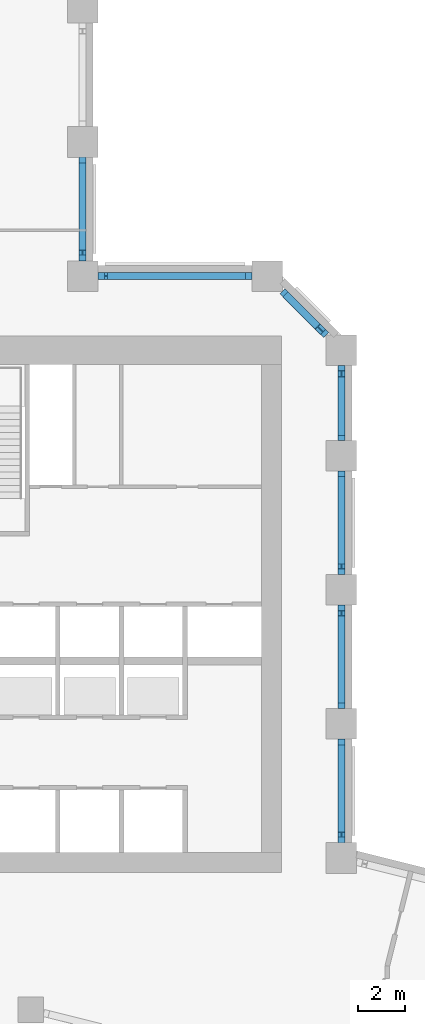
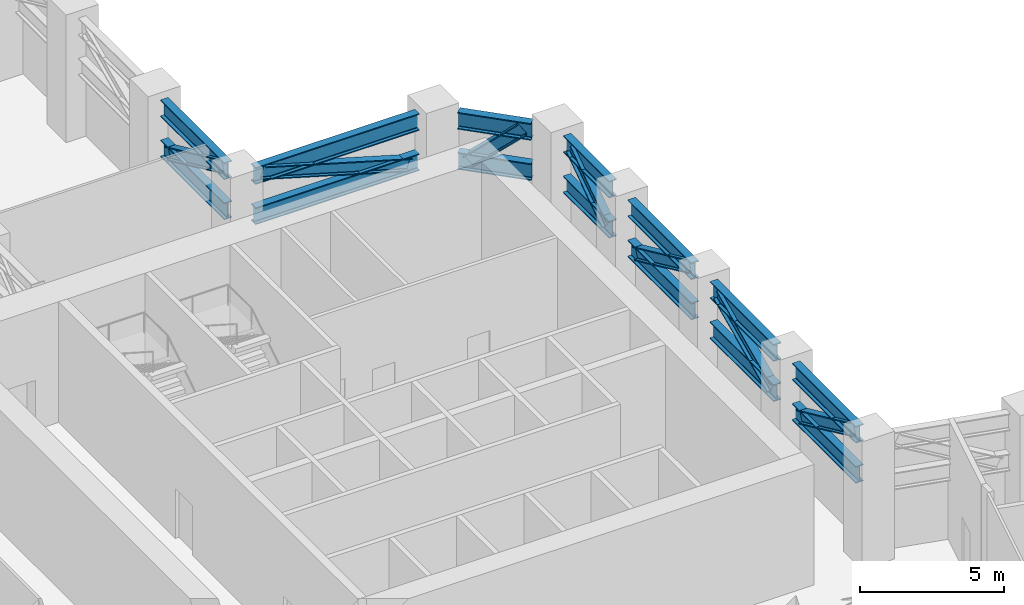
# One storey, part 7 of 21: 14 beams, 7 members.
"""IFC4 building model written with IfcOpenShell, lengths in metres."""

from ifc_helpers import new_model, si_unit, direction, frame, origin, origin_2d, place, context, subcontext, project, spatial, i_section, extrude, material, material_profile, profile_set, type_object, element, save


model = new_model("IFC4")

# Units and contexts
model_context = context("Model", 3, precision=1e-05, world=origin(), true_north=direction((0.0, 1.0)))
body_context = subcontext(model_context, "Body", "Model", "MODEL_VIEW")
ifc_project = project(units=[si_unit("LENGTHUNIT", "METRE"), si_unit("AREAUNIT", "SQUARE_METRE"), si_unit("VOLUMEUNIT", "CUBIC_METRE"), si_unit("PLANEANGLEUNIT", "RADIAN"), si_unit("MASSUNIT", "GRAM", prefix="KILO")], contexts=[model_context])

# Site, building, storey
site_placement = place(None, origin())
site = spatial("IfcSite", under=ifc_project, at=site_placement, CompositionType="ELEMENT")
building_placement = place(site_placement, origin())
building = spatial("IfcBuilding", under=site, at=building_placement, Name="Meshkara Civic Tower", CompositionType="ELEMENT")
storey_placement = place(building_placement, frame((0.0, 0.0, 156.0)))
storey = spatial("IfcBuildingStorey", under=building, at=storey_placement, Name="L35", CompositionType="ELEMENT", Elevation=156.0)

# Beams
ifc_material_1 = material(Name="Steel S355", Category="steel")
ifc_material_profile_1 = material_profile(ifc_material_1, i_section(OverallWidth=0.303955078125, OverallDepth=0.716064453125, WebThickness=0.02099609375, FlangeThickness=0.0400390625, FilletRadius=0.027099609375, at=origin_2d()))
ifc_profile_set_1 = profile_set([ifc_material_profile_1], Name="Steel S355")
beam_type = type_object("IfcBeamType", Name="Belt truss chord HEM 700 S355", PredefinedType="BEAM", material=ifc_profile_set_1)
for number, where, z_axis, x_axis, name in (
    (1, (33.35009765625, 15.364013671875, 4.741943359375), (0.0, 1.0, 0.0), (-1.0, 0.0, 0.0), "Belt truss chord BHE00-HE01"),
    (2, (33.35009765625, 15.364013671875, 3.0419921875), (0.0, 1.0, 0.0), (-1.0, 0.0, 0.0), "Belt truss chord BHE00-HE01"),
):
    element("IfcBeam", number, at=place(storey_placement, frame(where, z_axis=z_axis, x_axis=x_axis)), inside=storey, type_object=beam_type, Name=name, PredefinedType="BEAM", context=body_context, shape_type="SweptSolid", body=[
        extrude(i_section(OverallWidth=0.303955078125, OverallDepth=0.716064453125, WebThickness=0.02099609375, FlangeThickness=0.0400390625, FilletRadius=0.027099609375, at=origin_2d()), origin(), (0.0, 0.0, 1.0), 4.409912109375),
    ])
for number, where, z_axis, x_axis, name in (
    (3, (33.35009765625, 21.06396484375, 4.741943359375), (0.0, 1.0, 0.0), (-1.0, 0.0, 0.0), "Belt truss chord BHE01-HE02"),
    (4, (33.35009765625, 21.06396484375, 3.0419921875), (0.0, 1.0, 0.0), (-1.0, 0.0, 0.0), "Belt truss chord BHE01-HE02"),
    (5, (33.35009765625, 26.763916015625, 4.741943359375), (0.0, 1.0, 0.0), (-1.0, 0.0, 0.0), "Belt truss chord BHE02-HE03"),
    (6, (33.35009765625, 26.763916015625, 3.0419921875), (0.0, 1.0, 0.0), (-1.0, 0.0, 0.0), "Belt truss chord BHE02-HE03"),
):
    element("IfcBeam", number, at=place(storey_placement, frame(where, z_axis=z_axis, x_axis=x_axis)), inside=storey, type_object=beam_type, Name=name, PredefinedType="BEAM", context=body_context, shape_type="SweptSolid", body=[
        extrude(i_section(OverallWidth=0.303955078125, OverallDepth=0.716064453125, WebThickness=0.02099609375, FlangeThickness=0.0400390625, FilletRadius=0.027099609375, at=origin_2d()), origin(), (0.0, 0.0, 1.0), 4.41015625),
    ])
for number, where, z_axis, x_axis, name in (
    (7, (33.35009765625, 32.464111328125, 4.741943359375), (0.0, 1.0, 0.0), (-1.0, 0.0, 0.0), "Belt truss chord BHE03-HEE"),
    (8, (33.35009765625, 32.464111328125, 3.0419921875), (0.0, 1.0, 0.0), (-1.0, 0.0, 0.0), "Belt truss chord BHE03-HEE"),
):
    element("IfcBeam", number, at=place(storey_placement, frame(where, z_axis=z_axis, x_axis=x_axis)), inside=storey, type_object=beam_type, Name=name, PredefinedType="BEAM", context=body_context, shape_type="SweptSolid", body=[
        extrude(i_section(OverallWidth=0.303955078125, OverallDepth=0.716064453125, WebThickness=0.02099609375, FlangeThickness=0.0400390625, FilletRadius=0.027099609375, at=origin_2d()), origin(), (0.0, 0.0, 1.0), 3.184814453125),
    ])
for number, where, z_axis, x_axis, name in (
    (9, (32.70361328125, 36.9404296875, 4.741943359375), (-0.707106781187, 0.707106781187, 0.0), (-0.707106781187, -0.707106781187, 0.0), "Belt truss chord BHEE-HCeE"),
    (10, (32.70361328125, 36.9404296875, 3.0419921875), (-0.707106781187, 0.707106781187, 0.0), (-0.707106781187, -0.707106781187, 0.0), "Belt truss chord BHEE-HCeE"),
):
    element("IfcBeam", number, at=place(storey_placement, frame(where, z_axis=z_axis, x_axis=x_axis)), inside=storey, type_object=beam_type, Name=name, PredefinedType="BEAM", context=body_context, shape_type="SweptSolid", body=[
        extrude(i_section(OverallWidth=0.303955078125, OverallDepth=0.716064453125, WebThickness=0.02099609375, FlangeThickness=0.0400390625, FilletRadius=0.027099609375, at=origin_2d()), origin(), (0.0, 0.0, 1.0), 2.634765625),
    ])
for number, where, z_axis, x_axis, name in (
    (11, (29.549072265625, 39.449951171875, 4.741943359375), (-1.0, 0.0, 0.0), (0.0, -1.0, 0.0), "Belt truss chord BHCeE-HN00"),
    (12, (29.549072265625, 39.449951171875, 3.0419921875), (-1.0, 0.0, 0.0), (0.0, -1.0, 0.0), "Belt truss chord BHCeE-HN00"),
):
    element("IfcBeam", number, at=place(storey_placement, frame(where, z_axis=z_axis, x_axis=x_axis)), inside=storey, type_object=beam_type, Name=name, PredefinedType="BEAM", context=body_context, shape_type="SweptSolid", body=[
        extrude(i_section(OverallWidth=0.303955078125, OverallDepth=0.716064453125, WebThickness=0.02099609375, FlangeThickness=0.0400390625, FilletRadius=0.027099609375, at=origin_2d()), origin(), (0.0, 0.0, 1.0), 6.553955078125),
    ])
for number, where, z_axis, x_axis, name in (
    (13, (22.35009765625, 40.094970703125, 4.741943359375), (0.0, 1.0, 0.0), (-1.0, 0.0, 0.0), "Belt truss chord BHN00-AE01"),
    (14, (22.35009765625, 40.094970703125, 3.0419921875), (0.0, 1.0, 0.0), (-1.0, 0.0, 0.0), "Belt truss chord BHN00-AE01"),
):
    element("IfcBeam", number, at=place(storey_placement, frame(where, z_axis=z_axis, x_axis=x_axis)), inside=storey, type_object=beam_type, Name=name, PredefinedType="BEAM", context=body_context, shape_type="SweptSolid", body=[
        extrude(i_section(OverallWidth=0.303955078125, OverallDepth=0.716064453125, WebThickness=0.02099609375, FlangeThickness=0.0400390625, FilletRadius=0.027099609375, at=origin_2d()), origin(), (0.0, 0.0, 1.0), 4.409912109375),
    ])

# Members
ifc_material_2 = material(Name="Steel S355", Category="steel")
ifc_material_profile_2 = material_profile(ifc_material_2, i_section(OverallWidth=0.305908203125, OverallDepth=0.52392578125, WebThickness=0.02392578125, FlangeThickness=0.0400390625, FilletRadius=0.027099609375, at=origin_2d()))
ifc_profile_set_2 = profile_set([ifc_material_profile_2], Name="Steel S355")
member_type = type_object("IfcMemberType", Name="Truss diagonal HEM 500 S355", PredefinedType="BRACE", material=ifc_profile_set_2)
for number, where, z_axis, x_axis, name in (
    (15, (33.35009765625, 15.714111328125, 4.741943359375), (0.0, 0.909106361389, -0.41656406912), (-1.0, 0.0, 0.0), "TD-BHE00-HE01-L35"),
    (16, (33.35009765625, 21.4140625, 3.0419921875), (0.0, 0.909106361389, 0.41656406912), (-1.0, 0.0, 0.0), "TD-BHE01-HE02-L35"),
    (17, (33.35009765625, 27.114013671875, 4.741943359375), (0.0, 0.909106361389, -0.41656406912), (-1.0, 0.0, 0.0), "TD-BHE02-HE03-L35"),
):
    element("IfcMember", number, at=place(storey_placement, frame(where, z_axis=z_axis, x_axis=x_axis)), inside=storey, type_object=member_type, Name=name, PredefinedType="BRACE", context=body_context, shape_type="SweptSolid", body=[
        extrude(i_section(OverallWidth=0.305908203125, OverallDepth=0.52392578125, WebThickness=0.02392578125, FlangeThickness=0.0400390625, FilletRadius=0.027099609375, at=origin_2d()), origin(), (0.0, 0.0, 1.0), 4.080810546875),
    ])
member_1_placement = place(storey_placement, frame((33.35009765625, 32.81396484375, 3.0419921875), z_axis=(0.0, 0.825366923159, 0.564596707531), x_axis=(-1.0, 0.0, 0.0)))
element("IfcMember", 18, at=member_1_placement, inside=storey, type_object=member_type, Name="TD-BHE03-HEE-L35", PredefinedType="BRACE", context=body_context, shape_type="SweptSolid", body=[
    extrude(i_section(OverallWidth=0.305908203125, OverallDepth=0.52392578125, WebThickness=0.02392578125, FlangeThickness=0.0400390625, FilletRadius=0.027099609375, at=origin_2d()), origin(), (0.0, 0.0, 1.0), 3.010986328125),
])
member_2_placement = place(storey_placement, frame((32.4560546875, 37.18798828125, 4.741943359375), z_axis=(-0.53123425012, 0.531139454572, -0.660061399641), x_axis=(-0.707043683272, -0.707169873471, 0.0)))
element("IfcMember", 19, at=member_2_placement, inside=storey, type_object=member_type, Name="TD-BHEE-HCeE-L35", PredefinedType="BRACE", context=body_context, shape_type="SweptSolid", body=[
    extrude(i_section(OverallWidth=0.305908203125, OverallDepth=0.52392578125, WebThickness=0.02392578125, FlangeThickness=0.0400390625, FilletRadius=0.027099609375, at=origin_2d()), origin(), (0.0, 0.0, 1.0), 2.575439453125),
])
member_3_placement = place(storey_placement, frame((29.198974609375, 39.449951171875, 3.0419921875), z_axis=(-0.960328582667, 0.0, 0.278870961761), x_axis=(0.0, -1.0, 0.0)))
element("IfcMember", 20, at=member_3_placement, inside=storey, type_object=member_type, Name="TD-BHCeE-HN00-L35", PredefinedType="BRACE", context=body_context, shape_type="SweptSolid", body=[
    extrude(i_section(OverallWidth=0.305908203125, OverallDepth=0.52392578125, WebThickness=0.02392578125, FlangeThickness=0.0400390625, FilletRadius=0.027099609375, at=origin_2d()), origin(), (0.0, 0.0, 1.0), 6.095947265625),
])
member_4_placement = place(storey_placement, frame((22.35009765625, 40.445068359375, 4.741943359375), z_axis=(0.0, 0.909106361389, -0.41656406912), x_axis=(-1.0, 0.0, 0.0)))
element("IfcMember", 21, at=member_4_placement, inside=storey, type_object=member_type, Name="TD-BHN00-AE01-L35", PredefinedType="BRACE", context=body_context, shape_type="SweptSolid", body=[
    extrude(i_section(OverallWidth=0.305908203125, OverallDepth=0.52392578125, WebThickness=0.02392578125, FlangeThickness=0.0400390625, FilletRadius=0.027099609375, at=origin_2d()), origin(), (0.0, 0.0, 1.0), 4.080810546875),
])

save(model, "model.ifc")
